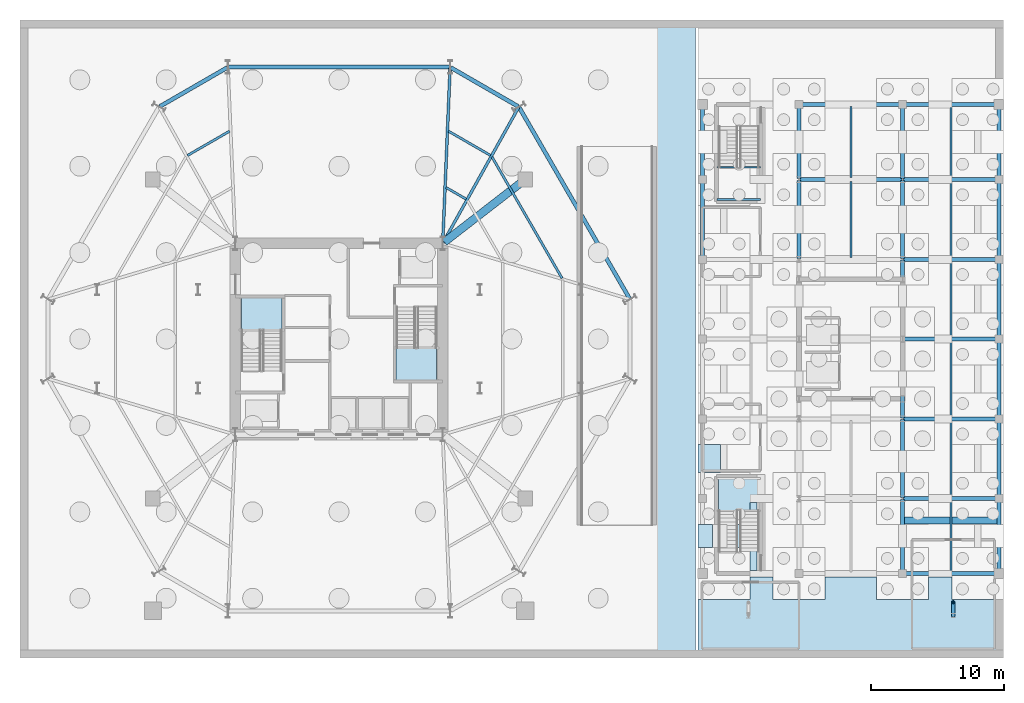
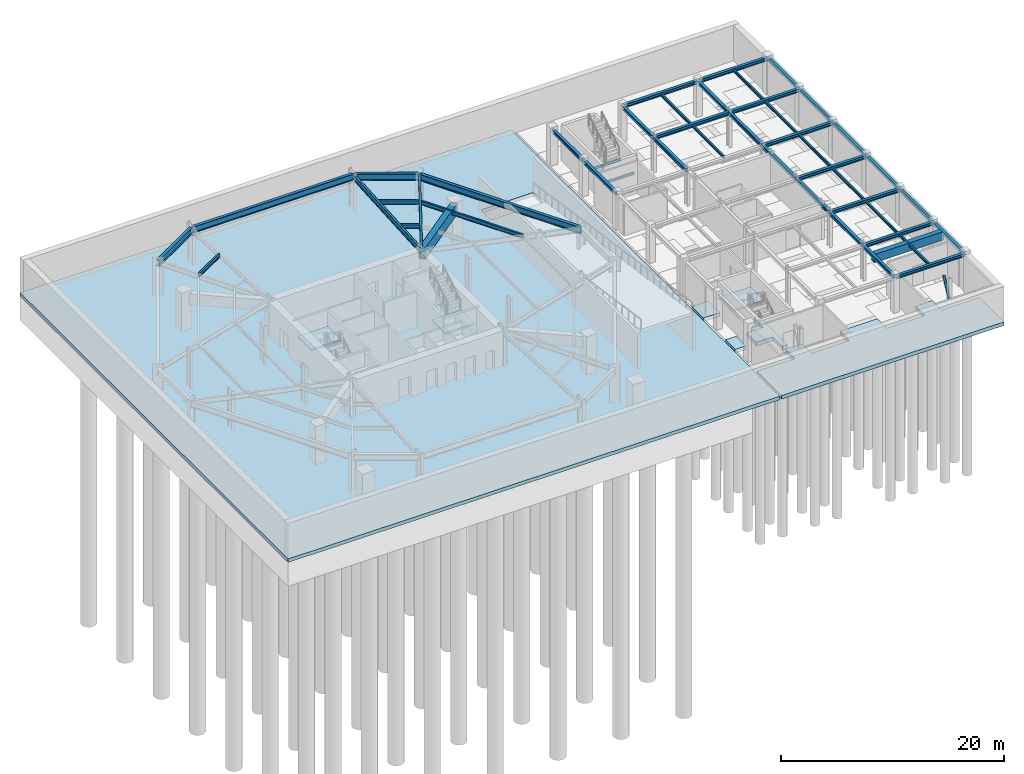
# One storey, part 9 of 18: 47 beams, 8 slabs, 1 member, 3 elements without a shape of their own.
"""IFC4 building model written with IfcOpenShell, lengths in metres."""

from ifc_helpers import new_model, si_unit, direction, frame, origin, origin_2d, place, context, subcontext, project, spatial, polyline, rectangle, hollow_circle, i_section, outline, extrude, material, layer, layer_set, material_profile, profile_set, type_object, element, aggregate, save


model = new_model("IFC4")

# Units and contexts
model_context = context("Model", 3, precision=1e-05, world=origin(), true_north=direction((0.0, 1.0)))
body_context = subcontext(model_context, "Body", "Model", "MODEL_VIEW")
ifc_project = project(units=[si_unit("LENGTHUNIT", "METRE"), si_unit("AREAUNIT", "SQUARE_METRE"), si_unit("VOLUMEUNIT", "CUBIC_METRE"), si_unit("PLANEANGLEUNIT", "RADIAN"), si_unit("MASSUNIT", "GRAM", prefix="KILO")], contexts=[model_context])

# Site, building, storey
site_placement = place(None, origin())
site = spatial("IfcSite", under=ifc_project, at=site_placement, CompositionType="ELEMENT")
building_placement = place(site_placement, origin())
building = spatial("IfcBuilding", under=site, at=building_placement, Name="Kranzbogen Civic Tower", CompositionType="ELEMENT")
storey_placement = place(building_placement, frame((0.0, 0.0, -8.39990234375)))
storey = spatial("IfcBuildingStorey", under=building, at=storey_placement, Name="B02", CompositionType="ELEMENT", Elevation=-8.39990234375)

# Beams
ifc_material_1 = material(Name="Concrete C45/55", Category="concrete")
ifc_material_profile_1 = material_profile(ifc_material_1, rectangle(XDim=0.60009765625, YDim=1.199951171875, at=origin_2d()), Name="RC-BM 600x1200")
ifc_profile_set_1 = profile_set([ifc_material_profile_1], Name="Concrete C45/55")
beam_type_1 = type_object("IfcBeamType", Name="Basement Heavy RC Girder 600x1200", PredefinedType="BEAM", material=ifc_profile_set_1)
beam_1_placement = place(storey_placement, frame((38.881103515625, 36.907958984375, 3.27978515625), z_axis=(-0.79071713495, -0.612181682589, 0.0), x_axis=(0.612181682589, -0.79071713495, 0.0)))
element("IfcBeam", 1, at=beam_1_placement, inside=storey, type_object=beam_type_1, Name="B02 basement RC frame girder 4", PredefinedType="BEAM", context=body_context, shape_type="SweptSolid", body=[
    extrude(rectangle(XDim=0.60009765625, YDim=1.199951171875, at=origin_2d()), origin(), (0.0, 0.0, 1.0), 7.540283203125),
])
ifc_material_2 = material(Name="Concrete C40/50", Category="concrete")
ifc_material_profile_2 = material_profile(ifc_material_2, rectangle(XDim=0.5, YDim=0.89990234375, at=origin_2d()), Name="RC-BM 500x900")
ifc_profile_set_2 = profile_set([ifc_material_profile_2], Name="Concrete C40/50")
beam_type_2 = type_object("IfcBeamType", Name="Basement RC Frame Beam 500x900", PredefinedType="BEAM", material=ifc_profile_set_2)
beam_2_placement = place(storey_placement, frame((67.39990234375, 11.35009765625, 3.429931640625), z_axis=(1.0, 0.0, 0.0), x_axis=(0.0, 1.0, 0.0)))
element("IfcBeam", 2, at=beam_2_placement, inside=storey, type_object=beam_type_2, Name="B02 vehicle ramp flight 2 RC toe support beam", PredefinedType="BEAM", context=body_context, shape_type="SweptSolid", body=[
    extrude(rectangle(XDim=0.5, YDim=0.89990234375, at=origin_2d()), origin(), (0.0, 0.0, 1.0), 7.25),
])
ifc_material_3 = material(Name="Steel S355", Category="steel")
ifc_material_profile_3 = material_profile(ifc_material_3, i_section(OverallWidth=0.300048828125, OverallDepth=0.360107421875, WebThickness=0.012451171875, FlangeThickness=0.0224609375, at=origin_2d()), Name="HEB 360")
ifc_profile_set_3 = profile_set([ifc_material_profile_3], Name="Steel S355")
beam_type_3 = type_object("IfcBeamType", Name="Health Centre Primary Floor Beam HEB 360", PredefinedType="BEAM", material=ifc_profile_set_3)
for number, where, z_axis, x_axis, name in (
    (3, (67.4599609375, 7.35009765625, 3.699951171875), (1.0, 0.0, 0.0), (0.0, 1.0, 0.0), "B02 Health Centre X girder 3-1"),
    (4, (67.4599609375, 13.0, 3.699951171875), (1.0, 0.0, 0.0), (0.0, 1.0, 0.0), "B02 Health Centre X girder 3-2"),
    (5, (67.4599609375, 19.0, 3.699951171875), (1.0, 0.0, 0.0), (0.0, 1.0, 0.0), "B02 Health Centre X girder 3-3"),
    (6, (67.4599609375, 25.0, 3.699951171875), (1.0, 0.0, 0.0), (0.0, 1.0, 0.0), "B02 Health Centre X girder 3-4"),
    (7, (67.4599609375, 31.0, 3.699951171875), (1.0, 0.0, 0.0), (0.0, 1.0, 0.0), "B02 Health Centre X girder 3-5"),
):
    element("IfcBeam", number, at=place(storey_placement, frame(where, z_axis=z_axis, x_axis=x_axis)), inside=storey, type_object=beam_type_3, Name=name, PredefinedType="BEAM", context=body_context, shape_type="SweptSolid", body=[
        extrude(i_section(OverallWidth=0.300048828125, OverallDepth=0.360107421875, WebThickness=0.012451171875, FlangeThickness=0.0224609375, at=origin_2d()), origin(), (0.0, 0.0, 1.0), 7.130126953125),
    ])
beam_3_placement = place(storey_placement, frame((59.659912109375, 37.0, 3.699951171875), z_axis=(1.0, 0.0, 0.0), x_axis=(0.0, 1.0, 0.0)))
element("IfcBeam", 8, at=beam_3_placement, inside=storey, type_object=beam_type_3, Name="B02 Health Centre X girder 2-6", PredefinedType="BEAM", context=body_context, shape_type="SweptSolid", body=[
    extrude(i_section(OverallWidth=0.300048828125, OverallDepth=0.360107421875, WebThickness=0.012451171875, FlangeThickness=0.0224609375, at=origin_2d()), origin(), (0.0, 0.0, 1.0), 7.68017578125),
])
beam_4_placement = place(storey_placement, frame((67.4599609375, 37.0, 3.699951171875), z_axis=(1.0, 0.0, 0.0), x_axis=(0.0, 1.0, 0.0)))
element("IfcBeam", 9, at=beam_4_placement, inside=storey, type_object=beam_type_3, Name="B02 Health Centre X girder 3-6", PredefinedType="BEAM", context=body_context, shape_type="SweptSolid", body=[
    extrude(i_section(OverallWidth=0.300048828125, OverallDepth=0.360107421875, WebThickness=0.012451171875, FlangeThickness=0.0224609375, at=origin_2d()), origin(), (0.0, 0.0, 1.0), 7.130126953125),
])
beam_5_placement = place(storey_placement, frame((59.659912109375, 42.64990234375, 3.699951171875), z_axis=(1.0, 0.0, 0.0), x_axis=(0.0, 1.0, 0.0)))
element("IfcBeam", 10, at=beam_5_placement, inside=storey, type_object=beam_type_3, Name="B02 Health Centre X girder 2-7", PredefinedType="BEAM", context=body_context, shape_type="SweptSolid", body=[
    extrude(i_section(OverallWidth=0.300048828125, OverallDepth=0.360107421875, WebThickness=0.012451171875, FlangeThickness=0.0224609375, at=origin_2d()), origin(), (0.0, 0.0, 1.0), 7.68017578125),
])
beam_6_placement = place(storey_placement, frame((67.4599609375, 42.64990234375, 3.699951171875), z_axis=(1.0, 0.0, 0.0), x_axis=(0.0, 1.0, 0.0)))
element("IfcBeam", 11, at=beam_6_placement, inside=storey, type_object=beam_type_3, Name="B02 Health Centre X girder 3-7", PredefinedType="BEAM", context=body_context, shape_type="SweptSolid", body=[
    extrude(i_section(OverallWidth=0.300048828125, OverallDepth=0.360107421875, WebThickness=0.012451171875, FlangeThickness=0.0224609375, at=origin_2d()), origin(), (0.0, 0.0, 1.0), 7.130126953125),
])
for number, where, z_axis, x_axis, name in (
    (12, (67.39990234375, 7.409912109375, 3.699951171875), (0.0, 1.0, 0.0), (-1.0, 0.0, 0.0), "B02 Health Centre Y girder 3-1"),
    (13, (74.64990234375, 7.409912109375, 3.699951171875), (0.0, 1.0, 0.0), (-1.0, 0.0, 0.0), "B02 Health Centre Y girder 4-1"),
):
    element("IfcBeam", number, at=place(storey_placement, frame(where, z_axis=z_axis, x_axis=x_axis)), inside=storey, type_object=beam_type_3, Name=name, PredefinedType="BEAM", context=body_context, shape_type="SweptSolid", body=[
        extrude(i_section(OverallWidth=0.300048828125, OverallDepth=0.360107421875, WebThickness=0.012451171875, FlangeThickness=0.0224609375, at=origin_2d()), origin(), (0.0, 0.0, 1.0), 5.530029296875),
    ])
for number, where, z_axis, x_axis, name in (
    (14, (67.39990234375, 13.06005859375, 3.699951171875), (0.0, 1.0, 0.0), (-1.0, 0.0, 0.0), "B02 Health Centre Y girder 3-2"),
    (15, (74.64990234375, 13.06005859375, 3.699951171875), (0.0, 1.0, 0.0), (-1.0, 0.0, 0.0), "B02 Health Centre Y girder 4-2"),
    (16, (67.39990234375, 19.06005859375, 3.699951171875), (0.0, 1.0, 0.0), (-1.0, 0.0, 0.0), "B02 Health Centre Y girder 3-3"),
    (17, (74.64990234375, 19.06005859375, 3.699951171875), (0.0, 1.0, 0.0), (-1.0, 0.0, 0.0), "B02 Health Centre Y girder 4-3"),
    (18, (67.39990234375, 25.06005859375, 3.699951171875), (0.0, 1.0, 0.0), (-1.0, 0.0, 0.0), "B02 Health Centre Y girder 3-4"),
    (19, (74.64990234375, 25.06005859375, 3.699951171875), (0.0, 1.0, 0.0), (-1.0, 0.0, 0.0), "B02 Health Centre Y girder 4-4"),
    (20, (52.35009765625, 31.06005859375, 3.699951171875), (0.0, 1.0, 0.0), (-1.0, 0.0, 0.0), "B02 Health Centre Y girder 1-5"),
    (21, (59.60009765625, 31.06005859375, 3.699951171875), (0.0, 1.0, 0.0), (-1.0, 0.0, 0.0), "B02 Health Centre Y girder 2-5"),
    (22, (67.39990234375, 31.06005859375, 3.699951171875), (0.0, 1.0, 0.0), (-1.0, 0.0, 0.0), "B02 Health Centre Y girder 3-5"),
    (23, (74.64990234375, 31.06005859375, 3.699951171875), (0.0, 1.0, 0.0), (-1.0, 0.0, 0.0), "B02 Health Centre Y girder 4-5"),
):
    element("IfcBeam", number, at=place(storey_placement, frame(where, z_axis=z_axis, x_axis=x_axis)), inside=storey, type_object=beam_type_3, Name=name, PredefinedType="BEAM", context=body_context, shape_type="SweptSolid", body=[
        extrude(i_section(OverallWidth=0.300048828125, OverallDepth=0.360107421875, WebThickness=0.012451171875, FlangeThickness=0.0224609375, at=origin_2d()), origin(), (0.0, 0.0, 1.0), 5.8798828125),
    ])
for number, where, z_axis, x_axis, name in (
    (24, (52.35009765625, 37.06005859375, 3.699951171875), (0.0, 1.0, 0.0), (-1.0, 0.0, 0.0), "B02 Health Centre Y girder 1-6"),
    (25, (59.60009765625, 37.06005859375, 3.699951171875), (0.0, 1.0, 0.0), (-1.0, 0.0, 0.0), "B02 Health Centre Y girder 2-6"),
    (26, (67.39990234375, 37.06005859375, 3.699951171875), (0.0, 1.0, 0.0), (-1.0, 0.0, 0.0), "B02 Health Centre Y girder 3-6"),
    (27, (74.64990234375, 37.06005859375, 3.699951171875), (0.0, 1.0, 0.0), (-1.0, 0.0, 0.0), "B02 Health Centre Y girder 4-6"),
):
    element("IfcBeam", number, at=place(storey_placement, frame(where, z_axis=z_axis, x_axis=x_axis)), inside=storey, type_object=beam_type_3, Name=name, PredefinedType="BEAM", context=body_context, shape_type="SweptSolid", body=[
        extrude(i_section(OverallWidth=0.300048828125, OverallDepth=0.360107421875, WebThickness=0.012451171875, FlangeThickness=0.0224609375, at=origin_2d()), origin(), (0.0, 0.0, 1.0), 5.530029296875),
    ])
ifc_material_profile_4 = material_profile(ifc_material_3, i_section(OverallWidth=0.14990234375, OverallDepth=0.300048828125, WebThickness=0.007080078125, FlangeThickness=0.0107421875, at=origin_2d()), Name="IPE 300")
ifc_profile_set_4 = profile_set([ifc_material_profile_4], Name="Steel S355")
beam_type_4 = type_object("IfcBeamType", Name="Health Centre Secondary Joist IPE 300", PredefinedType="JOIST", material=ifc_profile_set_4)
beam_7_placement = place(storey_placement, frame((71.02490234375, 7.489990234375, 3.72998046875), z_axis=(0.0, 1.0, 0.0), x_axis=(-1.0, 0.0, 0.0)))
element("IfcBeam", 28, at=beam_7_placement, inside=storey, type_object=beam_type_4, Name="B02 Health Centre secondary joist 3-1", PredefinedType="JOIST", context=body_context, shape_type="SweptSolid", body=[
    extrude(i_section(OverallWidth=0.14990234375, OverallDepth=0.300048828125, WebThickness=0.007080078125, FlangeThickness=0.0107421875, at=origin_2d()), origin(), (0.0, 0.0, 1.0), 5.3701171875),
])
for number, where, z_axis, x_axis, name in (
    (29, (71.02490234375, 13.139892578125, 3.72998046875), (0.0, 1.0, 0.0), (-1.0, 0.0, 0.0), "B02 Health Centre secondary joist 3-2"),
    (30, (71.02490234375, 19.139892578125, 3.72998046875), (0.0, 1.0, 0.0), (-1.0, 0.0, 0.0), "B02 Health Centre secondary joist 3-3"),
    (31, (71.02490234375, 25.139892578125, 3.72998046875), (0.0, 1.0, 0.0), (-1.0, 0.0, 0.0), "B02 Health Centre secondary joist 3-4"),
    (32, (63.5, 31.139892578125, 3.72998046875), (0.0, 1.0, 0.0), (-1.0, 0.0, 0.0), "B02 Health Centre secondary joist 2-5"),
    (33, (71.02490234375, 31.139892578125, 3.72998046875), (0.0, 1.0, 0.0), (-1.0, 0.0, 0.0), "B02 Health Centre secondary joist 3-5"),
):
    element("IfcBeam", number, at=place(storey_placement, frame(where, z_axis=z_axis, x_axis=x_axis)), inside=storey, type_object=beam_type_4, Name=name, PredefinedType="JOIST", context=body_context, shape_type="SweptSolid", body=[
        extrude(i_section(OverallWidth=0.14990234375, OverallDepth=0.300048828125, WebThickness=0.007080078125, FlangeThickness=0.0107421875, at=origin_2d()), origin(), (0.0, 0.0, 1.0), 5.72021484375),
    ])
for number, where, z_axis, x_axis, name in (
    (34, (63.5, 37.139892578125, 3.72998046875), (0.0, 1.0, 0.0), (-1.0, 0.0, 0.0), "B02 Health Centre secondary joist 2-6"),
    (35, (71.02490234375, 37.139892578125, 3.72998046875), (0.0, 1.0, 0.0), (-1.0, 0.0, 0.0), "B02 Health Centre secondary joist 3-6"),
):
    element("IfcBeam", number, at=place(storey_placement, frame(where, z_axis=z_axis, x_axis=x_axis)), inside=storey, type_object=beam_type_4, Name=name, PredefinedType="JOIST", context=body_context, shape_type="SweptSolid", body=[
        extrude(i_section(OverallWidth=0.14990234375, OverallDepth=0.300048828125, WebThickness=0.007080078125, FlangeThickness=0.0107421875, at=origin_2d()), origin(), (0.0, 0.0, 1.0), 5.3701171875),
    ])
ifc_material_profile_5 = material_profile(ifc_material_3, i_section(OverallWidth=0.300048828125, OverallDepth=0.699951171875, WebThickness=0.01708984375, FlangeThickness=0.031982421875, at=origin_2d()), Name="HEB 700")
ifc_profile_set_5 = profile_set([ifc_material_profile_5], Name="Steel S355")
beam_type_5 = type_object("IfcBeamType", Name="Perimeter Tube Spandrel Beam HEB 700", PredefinedType="SPANDREL", material=ifc_profile_set_5)
beam_8_placement = place(storey_placement, frame((46.860107421875, 28.0380859375, 3.52978515625), z_axis=(-0.500010210561, 0.866019508634, 0.0), x_axis=(-0.866019508634, -0.500010210561, 0.0)))
element("IfcBeam", 36, at=beam_8_placement, inside=storey, type_object=beam_type_5, Name="B02 perimeter spandrel beam 07", PredefinedType="SPANDREL", context=body_context, shape_type="SweptSolid", body=[
    extrude(i_section(OverallWidth=0.300048828125, OverallDepth=0.699951171875, WebThickness=0.01708984375, FlangeThickness=0.031982421875, at=origin_2d()), origin(), (0.0, 0.0, 1.0), 16.597900390625),
])
beam_9_placement = place(storey_placement, frame((38.47900390625, 42.493896484375, 3.52978515625), z_axis=(-0.86602927387, 0.499993296755, 0.0), x_axis=(-0.499993296755, -0.86602927387, 0.0)))
element("IfcBeam", 37, at=beam_9_placement, inside=storey, type_object=beam_type_5, Name="B02 perimeter spandrel beam 08", PredefinedType="SPANDREL", context=body_context, shape_type="SweptSolid", body=[
    extrude(i_section(OverallWidth=0.300048828125, OverallDepth=0.699951171875, WebThickness=0.01708984375, FlangeThickness=0.031982421875, at=origin_2d()), origin(), (0.0, 0.0, 1.0), 5.85205078125),
])
beam_10_placement = place(storey_placement, frame((33.299072265625, 45.449951171875, 3.52978515625), z_axis=(-1.0, 0.0, 0.0), x_axis=(0.0, -1.0, 0.0)))
element("IfcBeam", 38, at=beam_10_placement, inside=storey, type_object=beam_type_5, Name="B02 perimeter spandrel beam 09", PredefinedType="SPANDREL", context=body_context, shape_type="SweptSolid", body=[
    extrude(i_section(OverallWidth=0.300048828125, OverallDepth=0.699951171875, WebThickness=0.01708984375, FlangeThickness=0.031982421875, at=origin_2d()), origin(), (0.0, 0.0, 1.0), 16.59814453125),
])
beam_11_placement = place(storey_placement, frame((16.589111328125, 45.419921875, 3.52978515625), z_axis=(-0.86602927387, -0.499993296755, 0.0), x_axis=(0.499993296755, -0.86602927387, 0.0)))
element("IfcBeam", 39, at=beam_11_placement, inside=storey, type_object=beam_type_5, Name="B02 perimeter spandrel beam 10", PredefinedType="SPANDREL", context=body_context, shape_type="SweptSolid", body=[
    extrude(i_section(OverallWidth=0.300048828125, OverallDepth=0.699951171875, WebThickness=0.01708984375, FlangeThickness=0.031982421875, at=origin_2d()), origin(), (0.0, 0.0, 1.0), 5.85205078125),
])
ifc_material_profile_6 = material_profile(ifc_material_3, i_section(OverallWidth=0.2099609375, OverallDepth=0.550048828125, WebThickness=0.010986328125, FlangeThickness=0.01708984375, at=origin_2d()), Name="IPE 550")
ifc_profile_set_6 = profile_set([ifc_material_profile_6], Name="Steel S355")
beam_type_6 = type_object("IfcBeamType", Name="Radial Tower Floor Girder IPE 550", PredefinedType="BEAM", material=ifc_profile_set_6)
beam_12_placement = place(storey_placement, frame((38.501953125, 42.412109375, 3.60498046875), z_axis=(-0.487501570266, -0.87312211001, 0.0), x_axis=(0.87312211001, -0.487501570266, 0.0)))
element("IfcBeam", 40, at=beam_12_placement, inside=storey, type_object=beam_type_6, Name="B02 radial floor girder 08", PredefinedType="BEAM", context=body_context, shape_type="SweptSolid", body=[
    extrude(i_section(OverallWidth=0.2099609375, OverallDepth=0.550048828125, WebThickness=0.010986328125, FlangeThickness=0.01708984375, at=origin_2d()), origin(), (0.0, 0.0, 1.0), 11.636474609375),
])
beam_13_placement = place(storey_placement, frame((33.35595703125, 45.389892578125, 3.60498046875), z_axis=(-0.04207872602, -0.999114298174, 0.0), x_axis=(0.999114298174, -0.04207872602, 0.0)))
element("IfcBeam", 41, at=beam_13_placement, inside=storey, type_object=beam_type_6, Name="B02 radial floor girder 09", PredefinedType="BEAM", context=body_context, shape_type="SweptSolid", body=[
    extrude(i_section(OverallWidth=0.2099609375, OverallDepth=0.550048828125, WebThickness=0.010986328125, FlangeThickness=0.01708984375, at=origin_2d()), origin(), (0.0, 0.0, 1.0), 13.1416015625),
])
ifc_material_profile_7 = material_profile(ifc_material_3, i_section(OverallWidth=0.179931640625, OverallDepth=0.39990234375, WebThickness=0.008544921875, FlangeThickness=0.013427734375, at=origin_2d()), Name="IPE 400")
ifc_profile_set_7 = profile_set([ifc_material_profile_7], Name="Steel S355")
beam_type_7 = type_object("IfcBeamType", Name="Secondary Composite Floor Joist IPE 400", PredefinedType="JOIST", material=ifc_profile_set_7)
beam_14_placement = place(storey_placement, frame((41.778076171875, 29.572021484375, 3.679931640625), z_axis=(-0.500000488781, 0.866025121586, 0.0), x_axis=(-0.866025121586, -0.500000488781, 0.0)))
element("IfcBeam", 42, at=beam_14_placement, inside=storey, type_object=beam_type_7, Name="B02 secondary floor joist 1.07", PredefinedType="JOIST", context=body_context, shape_type="SweptSolid", body=[
    extrude(i_section(OverallWidth=0.179931640625, OverallDepth=0.39990234375, WebThickness=0.008544921875, FlangeThickness=0.013427734375, at=origin_2d()), origin(), (0.0, 0.0, 1.0), 10.5400390625),
])
beam_15_placement = place(storey_placement, frame((36.39892578125, 38.80908203125, 3.679931640625), z_axis=(-0.866081244924, 0.499903267833, 0.0), x_axis=(-0.499903267833, -0.866081244924, 0.0)))
element("IfcBeam", 43, at=beam_15_placement, inside=storey, type_object=beam_type_7, Name="B02 secondary floor joist 1.08", PredefinedType="JOIST", context=body_context, shape_type="SweptSolid", body=[
    extrude(i_section(OverallWidth=0.179931640625, OverallDepth=0.39990234375, WebThickness=0.008544921875, FlangeThickness=0.013427734375, at=origin_2d()), origin(), (0.0, 0.0, 1.0), 3.662353515625),
])
beam_16_placement = place(storey_placement, frame((34.56494140625, 35.52392578125, 3.679931640625), z_axis=(-0.86596970562, 0.500096459644, 0.0), x_axis=(-0.500096459644, -0.86596970562, 0.0)))
element("IfcBeam", 44, at=beam_16_placement, inside=storey, type_object=beam_type_7, Name="B02 secondary floor joist 2.08", PredefinedType="JOIST", context=body_context, shape_type="SweptSolid", body=[
    extrude(i_section(OverallWidth=0.179931640625, OverallDepth=0.39990234375, WebThickness=0.008544921875, FlangeThickness=0.013427734375, at=origin_2d()), origin(), (0.0, 0.0, 1.0), 1.751708984375),
])
beam_17_placement = place(storey_placement, frame((16.77294921875, 40.639892578125, 3.679931640625), z_axis=(-0.866081244924, -0.499903267833, 0.0), x_axis=(0.499903267833, -0.866081244924, 0.0)))
element("IfcBeam", 45, at=beam_17_placement, inside=storey, type_object=beam_type_7, Name="B02 secondary floor joist 1.10", PredefinedType="JOIST", context=body_context, shape_type="SweptSolid", body=[
    extrude(i_section(OverallWidth=0.179931640625, OverallDepth=0.39990234375, WebThickness=0.008544921875, FlangeThickness=0.013427734375, at=origin_2d()), origin(), (0.0, 0.0, 1.0), 3.662353515625),
])
ifc_material_profile_8 = material_profile(ifc_material_3, i_section(OverallWidth=0.135009765625, OverallDepth=0.27001953125, WebThickness=0.006591796875, FlangeThickness=0.01025390625, at=origin_2d()), Name="IPE 270")
ifc_profile_set_8 = profile_set([ifc_material_profile_8], Name="Steel S355")
beam_type_8 = type_object("IfcBeamType", Name="Stair Landing Support Beam IPE 270", PredefinedType="JOIST", material=ifc_profile_set_8)
for number, where, z_axis, x_axis, name in (
    (46, (53.449951171875, 37.919921875, 1.764892578125), (1.0, 0.0, 0.0), (0.0, 1.0, 0.0), "B02 ST-H2 landing support beam 1.1"),
    (47, (53.449951171875, 35.5, 1.764892578125), (1.0, 0.0, 0.0), (0.0, 1.0, 0.0), "B02 ST-H2 landing support beam 1.2"),
):
    element("IfcBeam", number, at=place(storey_placement, frame(where, z_axis=z_axis, x_axis=x_axis)), inside=storey, type_object=beam_type_8, Name=name, PredefinedType="JOIST", context=body_context, shape_type="SweptSolid", body=[
        extrude(i_section(OverallWidth=0.135009765625, OverallDepth=0.27001953125, WebThickness=0.006591796875, FlangeThickness=0.01025390625, at=origin_2d()), origin(), (0.0, 0.0, 1.0), 3.25),
    ])

# Member
ifc_material_profile_9 = material_profile(ifc_material_3, hollow_circle(Radius=0.136474609375, WallThickness=0.01611328125, at=origin_2d()), Name="CHS 273x16")
ifc_profile_set_9 = profile_set([ifc_material_profile_9], Name="Steel S355")
member_type = type_object("IfcMemberType", Name="Terrace Knee-Brace Strut CHS 273x16", PredefinedType="STRUT", material=ifc_profile_set_9)
member_placement = place(storey_placement, frame((71.199951171875, 4.199951171875, 1.89990234375), z_axis=(0.0, 0.450820035048, 0.892614864317), x_axis=(-1.0, 0.0, 0.0)))
element("IfcMember", 48, at=member_placement, inside=storey, type_object=member_type, Name="KNEE-1: B02 plant frame knee strut 2", PredefinedType="STRUT", context=body_context, shape_type="SweptSolid", body=[
    extrude(hollow_circle(Radius=0.136474609375, WallThickness=0.01611328125, at=origin_2d()), origin(), (0.0, 0.0, 1.0), 2.21826171875),
])

# Slabs
ifc_layer_1 = layer(ifc_material_2, 0.39990234375, Name="Concrete C40/50")
ifc_layer_set_1 = layer_set([ifc_layer_1], Name="Concrete C40/50")
slab_type_1 = type_object("IfcSlabType", Name="Basement Structural Base Slab 400 mm", PredefinedType="BASESLAB", material=ifc_layer_set_1)
slab_1_placement = place(storey_placement, frame((0.0, 0.0, -0.400146484375)))
element("IfcSlab", 49, at=slab_1_placement, inside=storey, type_object=slab_type_1, Name="B02 tower structural base slab", PredefinedType="BASESLAB", context=body_context, shape_type="SweptSolid", body=[
    extrude(outline(polyline([(51.800048828125, 1.0), (51.800048828125, 49.0), (1.0, 49.0), (1.0, 1.0), (51.800048828125, 1.0)]), holes=[polyline([(48.60498046875, 37.760009765625), (43.195068359375, 37.760009765625), (43.195068359375, 39.544921875), (48.60498046875, 39.544921875), (48.60498046875, 37.760009765625)])]), origin(), (0.0, 0.0, 1.0), 0.400146484375),
])
slab_2_placement = place(storey_placement, frame((0.0, 0.0, -0.400146484375)))
element("IfcSlab", 50, at=slab_2_placement, inside=storey, type_object=slab_type_1, Name="B02 basement structural base slab 1", PredefinedType="BASESLAB", context=body_context, shape_type="SweptSolid", body=[
    extrude(outline(polyline([(75.0, 5.39794921875), (71.10009765625, 5.39794921875), (71.10009765625, 5.39794921875), (71.10009765625, 5.39794921875), (71.09912109375, 5.39794921875), (71.09912109375, 5.39794921875), (71.09912109375, 5.39794921875), (71.09912109375, 5.39794921875), (71.09912109375, 5.39794921875), (71.09912109375, 5.39892578125), (71.097900390625, 5.39892578125), (71.097900390625, 5.39892578125), (71.097900390625, 5.39892578125), (71.097900390625, 5.39892578125), (71.097900390625, 5.39892578125), (71.097900390625, 5.39990234375), (71.097900390625, 5.39990234375), (71.097900390625, 5.39990234375), (71.097900390625, 7.097900390625), (69.35205078125, 7.097900390625), (69.35205078125, 5.39990234375), (69.35205078125, 5.39990234375), (69.35205078125, 5.39990234375), (69.35205078125, 5.39892578125), (69.35205078125, 5.39892578125), (69.35205078125, 5.39892578125), (69.35205078125, 5.39892578125), (69.35205078125, 5.39892578125), (69.35107421875, 5.39892578125), (69.35107421875, 5.39794921875), (69.35107421875, 5.39794921875), (69.35107421875, 5.39794921875), (69.35107421875, 5.39794921875), (69.35107421875, 5.39794921875), (69.35009765625, 5.39794921875), (69.35009765625, 5.39794921875), (69.35009765625, 5.39794921875), (65.449951171875, 5.39794921875), (65.449951171875, 5.39794921875), (65.449951171875, 5.39794921875), (65.448974609375, 5.39794921875), (65.448974609375, 5.39794921875), (65.448974609375, 5.39794921875), (65.448974609375, 5.39794921875), (65.448974609375, 5.39794921875), (65.448974609375, 5.39892578125), (65.447998046875, 5.39892578125), (65.447998046875, 5.39892578125), (65.447998046875, 5.39892578125), (65.447998046875, 5.39892578125), (65.447998046875, 5.39892578125), (65.447998046875, 5.39990234375), (65.447998046875, 5.39990234375), (65.447998046875, 5.39990234375), (65.447998046875, 7.097900390625), (61.552001953125, 7.097900390625), (61.552001953125, 5.39990234375), (61.552001953125, 5.39990234375), (61.552001953125, 5.39990234375), (61.552001953125, 5.39892578125), (61.552001953125, 5.39892578125), (61.552001953125, 5.39892578125), (61.552001953125, 5.39892578125), (61.552001953125, 5.39892578125), (61.551025390625, 5.39892578125), (61.551025390625, 5.39794921875), (61.551025390625, 5.39794921875), (61.551025390625, 5.39794921875), (61.551025390625, 5.39794921875), (61.551025390625, 5.39794921875), (61.550048828125, 5.39794921875), (61.550048828125, 5.39794921875), (61.550048828125, 5.39794921875), (57.64990234375, 5.39794921875), (57.64990234375, 5.39794921875), (57.64990234375, 5.39794921875), (57.64892578125, 5.39794921875), (57.64892578125, 5.39794921875), (57.64892578125, 5.39794921875), (57.64892578125, 5.39794921875), (57.64892578125, 5.39794921875), (57.64892578125, 5.39892578125), (57.64794921875, 5.39892578125), (57.64794921875, 5.39892578125), (57.64794921875, 5.39892578125), (57.64794921875, 5.39892578125), (57.64794921875, 5.39892578125), (57.64794921875, 5.39990234375), (57.64794921875, 5.39990234375), (57.64794921875, 5.39990234375), (57.64794921875, 7.097900390625), (55.902099609375, 7.097900390625), (55.902099609375, 5.39990234375), (55.902099609375, 5.39990234375), (55.902099609375, 5.39990234375), (55.902099609375, 5.39892578125), (55.902099609375, 5.39892578125), (55.902099609375, 5.39892578125), (55.902099609375, 5.39892578125), (55.902099609375, 5.39892578125), (55.90087890625, 5.39892578125), (55.90087890625, 5.39794921875), (55.90087890625, 5.39794921875), (55.90087890625, 5.39794921875), (55.90087890625, 5.39794921875), (55.90087890625, 5.39794921875), (55.89990234375, 5.39794921875), (55.89990234375, 5.39794921875), (55.89990234375, 5.39794921875), (52.0, 5.39794921875), (52.0, 1.0), (75.0, 1.0), (75.0, 5.39794921875)])), origin(), (0.0, 0.0, 1.0), 0.400146484375),
])
slab_3_placement = place(storey_placement, frame((0.0, 0.0, -0.400146484375)))
element("IfcSlab", 51, at=slab_3_placement, inside=storey, type_object=slab_type_1, Name="B02 basement structural base slab 13", PredefinedType="BASESLAB", context=body_context, shape_type="SweptSolid", body=[
    extrude(outline(polyline([(52.0, 14.951904296875), (53.697998046875, 14.951904296875), (53.697998046875, 17.048095703125), (52.0, 17.048095703125), (52.0, 14.951904296875)])), origin(), (0.0, 0.0, 1.0), 0.400146484375),
])
slab_4_placement = place(storey_placement, frame((0.0, 0.0, -0.400146484375)))
element("IfcSlab", 52, at=slab_4_placement, inside=storey, type_object=slab_type_1, Name="B02 basement structural base slab 14", PredefinedType="BASESLAB", context=body_context, shape_type="SweptSolid", body=[
    extrude(outline(polyline([(52.0, 9.302001953125), (53.097900390625, 9.302001953125), (53.097900390625, 11.048095703125), (52.0, 11.048095703125), (52.0, 9.302001953125)])), origin(), (0.0, 0.0, 1.0), 0.400146484375),
])
slab_5_placement = place(storey_placement, frame((0.0, 0.0, -0.400146484375)))
element("IfcSlab", 53, at=slab_5_placement, inside=storey, type_object=slab_type_1, Name="B02 basement structural base slab 33", PredefinedType="BASESLAB", context=body_context, shape_type="SweptSolid", body=[
    extrude(outline(polyline([(54.201904296875, 11.048095703125), (54.201904296875, 9.302001953125), (55.89990234375, 9.302001953125), (55.89990234375, 9.302001953125), (55.89990234375, 9.302001953125), (55.90087890625, 9.302001953125), (55.90087890625, 9.302001953125), (55.90087890625, 9.302001953125), (55.90087890625, 9.302001953125), (55.90087890625, 9.302001953125), (55.90087890625, 9.301025390625), (55.902099609375, 9.301025390625), (55.902099609375, 9.301025390625), (55.902099609375, 9.301025390625), (55.902099609375, 9.301025390625), (55.902099609375, 9.301025390625), (55.902099609375, 9.300048828125), (55.902099609375, 9.300048828125), (55.902099609375, 9.300048828125), (55.902099609375, 7.60205078125), (56.447998046875, 7.60205078125), (56.447998046875, 12.697998046875), (55.902099609375, 12.697998046875), (55.902099609375, 11.050048828125), (55.902099609375, 11.050048828125), (55.902099609375, 11.050048828125), (55.902099609375, 11.049072265625), (55.902099609375, 11.049072265625), (55.902099609375, 11.049072265625), (55.902099609375, 11.049072265625), (55.902099609375, 11.049072265625), (55.90087890625, 11.049072265625), (55.90087890625, 11.048095703125), (55.90087890625, 11.048095703125), (55.90087890625, 11.048095703125), (55.90087890625, 11.048095703125), (55.90087890625, 11.048095703125), (55.89990234375, 11.048095703125), (55.89990234375, 11.048095703125), (55.89990234375, 11.048095703125), (54.201904296875, 11.048095703125)])), origin(), (0.0, 0.0, 1.0), 0.400146484375),
])

# Stair, slab
ifc_material_4 = material(Name="Precast concrete C40/50", Category="concrete")
stair_type_1 = type_object("IfcStairType", Name="Tower Core Pressurized Dogleg Stair 1450", PredefinedType="HALF_TURN_STAIR", material=ifc_material_4)
stair_1_placement = place(storey_placement, origin())
stair_1 = element("IfcStair", 54, at=stair_1_placement, inside=storey, type_object=stair_type_1, Name="B02 Tower Core Pressurized Stair 1", PredefinedType="HALF_TURN_STAIR")
ifc_layer_2 = layer(ifc_material_4, 0.199951171875, Name="Precast concrete C40/50")
ifc_layer_set_2 = layer_set([ifc_layer_2], Name="Precast concrete C40/50")
slab_type_2 = type_object("IfcSlabType", Name="Precast Concrete Stair Landing Slab 200 mm", PredefinedType="LANDING", material=ifc_layer_set_2)
slab_6_placement = place(storey_placement, frame((0.0, 0.0, 1.89990234375)))
slab_6 = element("IfcSlab", 55, at=slab_6_placement, type_object=slab_type_2, Name="ST-T1 landing 1", PredefinedType="LANDING", context=body_context, shape_type="SweptSolid", body=[
    extrude(outline(polyline([(20.699951171875, 25.679931640625), (20.699951171875, 28.10009765625), (17.64990234375, 28.10009765625), (17.64990234375, 25.679931640625), (20.699951171875, 25.679931640625)])), origin(), (0.0, 0.0, 1.0), 0.199951171875),
])
aggregate(stair_1, [slab_6])

stair_type_2 = type_object("IfcStairType", Name="Tower Core Secondary Dogleg Stair 1450", PredefinedType="HALF_TURN_STAIR", material=ifc_material_4)
stair_2_placement = place(storey_placement, origin())
stair_2 = element("IfcStair", 56, at=stair_2_placement, inside=storey, type_object=stair_type_2, Name="B02 Tower Core Pressurized Stair 2", PredefinedType="HALF_TURN_STAIR")
slab_7_placement = place(storey_placement, frame((0.0, 0.0, 1.89990234375)))
slab_7 = element("IfcSlab", 57, at=slab_7_placement, type_object=slab_type_2, Name="ST-T2 landing 1", PredefinedType="LANDING", context=body_context, shape_type="SweptSolid", body=[
    extrude(outline(polyline([(29.300048828125, 24.320068359375), (29.300048828125, 21.89990234375), (32.35009765625, 21.89990234375), (32.35009765625, 24.320068359375), (29.300048828125, 24.320068359375)])), origin(), (0.0, 0.0, 1.0), 0.199951171875),
])
aggregate(stair_2, [slab_7])

stair_type_3 = type_object("IfcStairType", Name="Health Centre Escape Dogleg Stair 1450", PredefinedType="HALF_TURN_STAIR", material=ifc_material_4)
stair_3_placement = place(storey_placement, origin())
stair_3 = element("IfcStair", 58, at=stair_3_placement, inside=storey, type_object=stair_type_3, Name="B02 Health Centre Escape Stair 1", PredefinedType="HALF_TURN_STAIR")
slab_8_placement = place(storey_placement, frame((0.0, 0.0, 1.89990234375)))
slab_8 = element("IfcSlab", 59, at=slab_8_placement, type_object=slab_type_2, Name="ST-H1 landing 1", PredefinedType="LANDING", context=body_context, shape_type="SweptSolid", body=[
    extrude(outline(polyline([(56.60009765625, 12.080078125), (56.60009765625, 14.5), (53.550048828125, 14.5), (53.550048828125, 12.080078125), (56.60009765625, 12.080078125)])), origin(), (0.0, 0.0, 1.0), 0.199951171875),
])
aggregate(stair_3, [slab_8])

save(model, "model.ifc")
